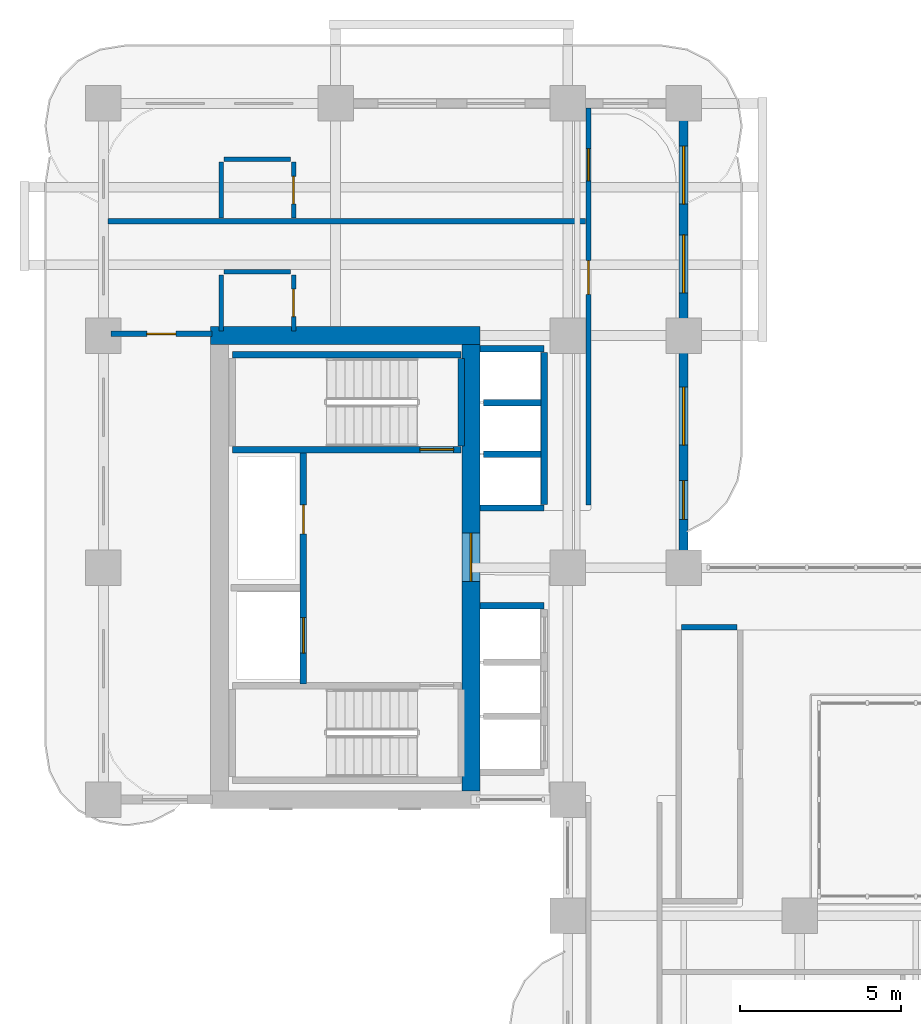
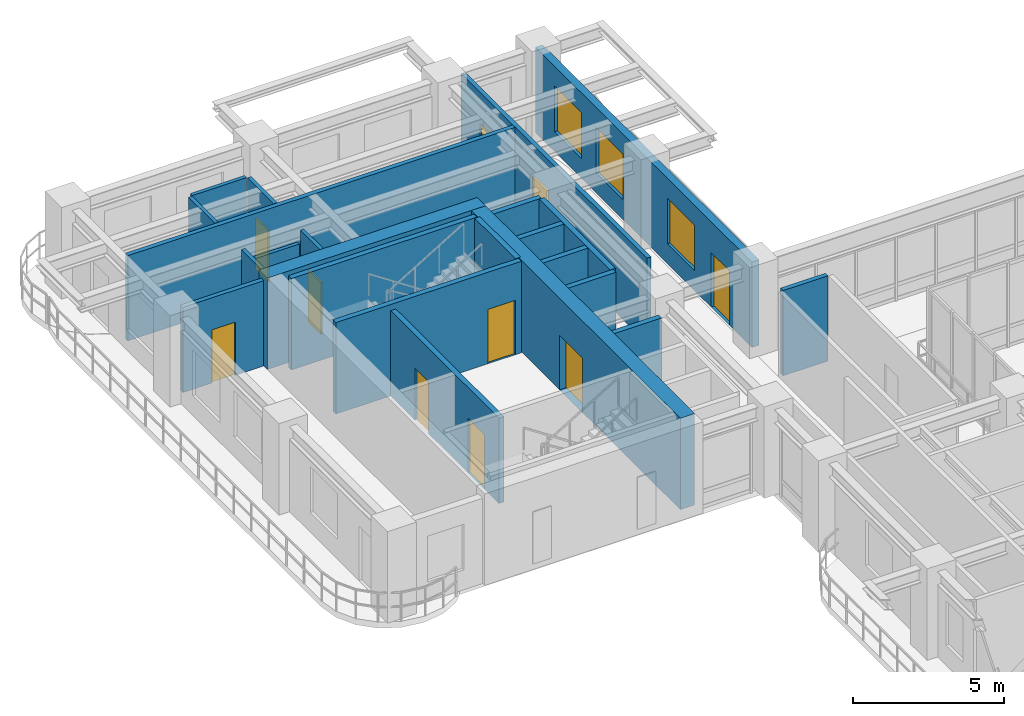
# One storey, part 16 of 22: 23 walls, 10 doors, 3 windows, 13 openings.
"""IFC4 building model written with IfcOpenShell, lengths in metres."""

from ifc_helpers import new_model, si_unit, derived_unit, direction, frame, frame_2d, origin, place, context, subcontext, project, spatial, rectangle, extrude, source, transform, mapped, material, layer, layer_set, type_object, type_shapes, element, fill, save


model = new_model("IFC4")

# Units and contexts
model_context = context("Model", 3, precision=1e-05, world=origin(), true_north=direction((0.0, 1.0)))
body_context = subcontext(model_context, "Body", "Model", "MODEL_VIEW")
ifc_project = project(units=[si_unit("LENGTHUNIT", "METRE"), si_unit("AREAUNIT", "SQUARE_METRE"), si_unit("VOLUMEUNIT", "CUBIC_METRE"), si_unit("PLANEANGLEUNIT", "RADIAN"), si_unit("MASSUNIT", "GRAM", prefix="KILO"), si_unit("THERMODYNAMICTEMPERATUREUNIT", "KELVIN"), si_unit("POWERUNIT", "WATT"), derived_unit("THERMALTRANSMITTANCEUNIT", [(si_unit("POWERUNIT", "WATT"), 1), (si_unit("AREAUNIT", "SQUARE_METRE"), -1), (si_unit("THERMODYNAMICTEMPERATUREUNIT", "KELVIN"), -1)])], contexts=[model_context])

# Site, building, storey
site_placement = place(None, origin())
site = spatial("IfcSite", under=ifc_project, at=site_placement, CompositionType="ELEMENT")
building_placement = place(site_placement, origin())
building = spatial("IfcBuilding", under=site, at=building_placement, Name="Zahravan Archway Hotel and Residences", CompositionType="ELEMENT")
storey_placement = place(building_placement, frame((0.0, 0.0, 87.89990234375)))
storey = spatial("IfcBuildingStorey", under=building, at=storey_placement, Name="L21", CompositionType="ELEMENT", Elevation=87.89990234375)

# Wall
ifc_material_1 = material(Name="Concrete C70/85", Category="concrete")
ifc_layer_1 = layer(ifc_material_1, 0.550048828125, Name="Concrete C70/85", Category="concrete")
ifc_layer_set_1 = layer_set([ifc_layer_1], Name="Concrete C70/85")
wall_type_1 = type_object("IfcWallType", Name="CW-CORE-550", PredefinedType="SHEAR", material=ifc_layer_set_1)
wall_1_placement = place(storey_placement, frame((3.324951171875, 39.60009765625, 0.0), z_axis=(0.0, 0.0, 1.0), x_axis=(1.0, 0.0, 0.0)))
element("IfcWall", 1, at=wall_1_placement, inside=storey, type_object=wall_type_1, Name="L21 Core B Shear N Wall 550 mm", PredefinedType="SHEAR", context=body_context, shape_type="SweptSolid", body=[
    extrude(rectangle(XDim=8.35009765625, YDim=0.550048828125, at=frame_2d((4.175048828125, 0.0))), origin(), (0.0, 0.0, 1.0), 3.7001953125),
])

# Wall, opening, door
wall_2_placement = place(storey_placement, frame((11.39990234375, 25.47509765625, 0.0), z_axis=(0.0, 0.0, 1.0), x_axis=(0.0, 1.0, 0.0)))
wall_2 = element("IfcWall", 2, at=wall_2_placement, inside=storey, type_object=wall_type_1, Name="L21 Core B Shear E Wall 550 mm", PredefinedType="SHEAR", context=body_context, shape_type="SweptSolid", body=[
    extrude(rectangle(XDim=13.849853515625, YDim=0.550048828125, at=frame_2d((6.9248046875, 0.0))), origin(), (0.0, 0.0, 1.0), 3.7001953125),
])
opening_1_placement = place(wall_2_placement, frame((6.4951171875, 0.0, 0.0)))
opening_1 = element("IfcOpeningElement", 3, at=opening_1_placement, cuts=wall_2, Name="Opening FD-L1", PredefinedType="OPENING", context=body_context, shape_type="SweptSolid", body=[
    extrude(rectangle(XDim=1.5, YDim=2.199951171875, at=frame_2d((0.75, 1.10009765625))), frame((0.0, 0.28515625, 0.0), z_axis=(0.0, -1.0, 0.0), x_axis=(1.0, 0.0, 0.0)), (0.0, 0.0, 1.0), 0.570068359375),
])
ifc_material_2 = material(Name="Fire-Rated Painted Steel", Category="steel")
door_type_1 = type_object("IfcDoorType", Name="FD-LOBBY-1500", OperationType="DOUBLE_DOOR_SINGLE_SWING", PredefinedType="DOOR", material=ifc_material_2)
shared_shape_1 = source(origin(), body_context, "Body", "SweptSolid", [
    extrude(rectangle(XDim=1.5, YDim=2.199951171875, at=frame_2d((0.75, 1.10009765625))), frame((0.0, 0.02490234375, 0.0), z_axis=(0.0, -1.0, 0.0), x_axis=(1.0, 0.0, 0.0)), (0.0, 0.0, 1.0), 0.050048828125),
])
type_shapes(door_type_1, [shared_shape_1])
door_1_placement = place(opening_1_placement, origin())
door_1 = element("IfcDoor", 4, at=door_1_placement, inside=storey, type_object=door_type_1, Name="L21 Core B FSAE Lobby Door", OperationType="DOUBLE_DOOR_SINGLE_SWING", OverallHeight=2.199951171875, OverallWidth=1.5, PredefinedType="DOOR", context=body_context, shape_type="MappedRepresentation", body=[
    mapped(shared_shape_1, transform((0.0, 0.0, 0.0), scale=1.0)),
])
fill(opening_1, door_1)

# Wall, openings, door, windows
ifc_material_3 = material(Name="Honed Red-Ochre Sandstone & Insulated Block", Category="masonry")
ifc_layer_2 = layer(ifc_material_3, 0.280029296875, Name="Honed Red-Ochre Sandstone & Insulated Block", Category="masonry")
ifc_layer_set_2 = layer_set([ifc_layer_2], Name="Honed Red-Ochre Sandstone & Insulated Block")
wall_type_2 = type_object("IfcWallType", Name="EW-LOG-280", PredefinedType="SOLIDWALL", material=ifc_layer_set_2)
wall_3_placement = place(storey_placement, frame((18.0, 32.39990234375, 0.0), z_axis=(0.0, 0.0, 1.0), x_axis=(0.0, 1.0, 0.0)))
wall_3 = element("IfcWall", 5, at=wall_3_placement, inside=storey, type_object=wall_type_2, Name="L21 Exterior Sandstone Wall WB-EU", PredefinedType="SOLIDWALL", context=body_context, shape_type="SweptSolid", body=[
    extrude(rectangle(XDim=14.35009765625, YDim=0.280029296875, at=frame_2d((7.175048828125, 0.0))), origin(), (0.0, 0.0, 1.0), 3.4501953125),
])
opening_2_placement = place(wall_3_placement, frame((1.5, 0.0, 0.0)))
opening_2 = element("IfcOpeningElement", 6, at=opening_2_placement, cuts=wall_3, Name="Opening ED-BL1", PredefinedType="OPENING", context=body_context, shape_type="SweptSolid", body=[
    extrude(rectangle(XDim=1.199951171875, YDim=2.199951171875, at=frame_2d((0.60009765625, 1.10009765625))), frame((0.0, 0.14990234375, 0.0), z_axis=(0.0, -1.0, 0.0), x_axis=(1.0, 0.0, 0.0)), (0.0, 0.0, 1.0), 0.300048828125),
])
opening_3_placement = place(wall_3_placement, frame((3.800048828125, 0.0, 0.800048828125)))
opening_3 = element("IfcOpeningElement", 7, at=opening_3_placement, cuts=wall_3, Name="Opening W-02", PredefinedType="OPENING", context=body_context, shape_type="SweptSolid", body=[
    extrude(rectangle(XDim=1.800048828125, YDim=1.85009765625, at=frame_2d((0.89990234375, 0.925048828125))), frame((0.0, 0.14990234375, 0.0), z_axis=(0.0, -1.0, 0.0), x_axis=(1.0, 0.0, 0.0)), (0.0, 0.0, 1.0), 0.300048828125),
])
opening_4_placement = place(wall_3_placement, frame((8.52490234375, 0.0, 0.800048828125)))
opening_4 = element("IfcOpeningElement", 8, at=opening_4_placement, cuts=wall_3, Name="Opening W-02", PredefinedType="OPENING", context=body_context, shape_type="SweptSolid", body=[
    extrude(rectangle(XDim=1.800048828125, YDim=1.85009765625, at=frame_2d((0.89990234375, 0.925048828125))), frame((0.0, 0.14990234375, 0.0), z_axis=(0.0, -1.0, 0.0), x_axis=(1.0, 0.0, 0.0)), (0.0, 0.0, 1.0), 0.300048828125),
])
opening_5_placement = place(wall_3_placement, frame((11.27490234375, 0.0, 0.800048828125)))
opening_5 = element("IfcOpeningElement", 9, at=opening_5_placement, cuts=wall_3, Name="Opening W-02", PredefinedType="OPENING", context=body_context, shape_type="SweptSolid", body=[
    extrude(rectangle(XDim=1.800048828125, YDim=1.85009765625, at=frame_2d((0.89990234375, 0.925048828125))), frame((0.0, 0.14990234375, 0.0), z_axis=(0.0, -1.0, 0.0), x_axis=(1.0, 0.0, 0.0)), (0.0, 0.0, 1.0), 0.300048828125),
])
ifc_material_4 = material(Name="Bronze-Anodized Glazed Aluminium", Category="aluminium")
door_type_2 = type_object("IfcDoorType", Name="ED-BALC-1200", OperationType="SLIDING_TO_LEFT", PredefinedType="DOOR", material=ifc_material_4)
shared_shape_2 = source(origin(), body_context, "Body", "SweptSolid", [
    extrude(rectangle(XDim=1.199951171875, YDim=2.199951171875, at=frame_2d((0.60009765625, 1.10009765625))), frame((0.0, 0.02490234375, 0.0), z_axis=(0.0, -1.0, 0.0), x_axis=(1.0, 0.0, 0.0)), (0.0, 0.0, 1.0), 0.050048828125),
])
type_shapes(door_type_2, [shared_shape_2])
door_2_placement = place(opening_2_placement, origin())
door_2 = element("IfcDoor", 10, at=door_2_placement, inside=storey, type_object=door_type_2, Name="L21 Outdoor Access Sliding Door (SLB-BAL-L21-EB)", OperationType="SLIDING_TO_LEFT", OverallHeight=2.199951171875, OverallWidth=1.199951171875, PredefinedType="DOOR", context=body_context, shape_type="MappedRepresentation", body=[
    mapped(shared_shape_2, transform((0.0, 0.0, 0.0), scale=1.0)),
])
fill(opening_2, door_2)
ifc_material_5 = material(Name="Bronze-Anodized Thermal-Break Aluminium & Low-E Glass", Category="aluminium")
window_type = type_object("IfcWindowType", Name="WIN-TWR-1800", PartitioningType="DOUBLE_PANEL_VERTICAL", PredefinedType="WINDOW", material=ifc_material_5)
shared_shape_3 = source(origin(), body_context, "Body", "SweptSolid", [
    extrude(rectangle(XDim=1.800048828125, YDim=1.85009765625, at=frame_2d((0.89990234375, 0.925048828125))), frame((0.0, 0.030029296875, 0.0), z_axis=(0.0, -1.0, 0.0), x_axis=(1.0, 0.0, 0.0)), (0.0, 0.0, 1.0), 0.06005859375),
])
type_shapes(window_type, [shared_shape_3])
window_1_placement = place(opening_3_placement, origin())
window_1 = element("IfcWindow", 11, at=window_1_placement, inside=storey, type_object=window_type, Name="L21 Loggia Window 38", OverallHeight=1.85009765625, OverallWidth=1.800048828125, PartitioningType="DOUBLE_PANEL_VERTICAL", PredefinedType="WINDOW", context=body_context, shape_type="MappedRepresentation", body=[
    mapped(shared_shape_3, transform((0.0, 0.0, 0.0), scale=1.0)),
])
fill(opening_3, window_1)
window_2_placement = place(opening_4_placement, origin())
window_2 = element("IfcWindow", 12, at=window_2_placement, inside=storey, type_object=window_type, Name="L21 Loggia Window 39", OverallHeight=1.85009765625, OverallWidth=1.800048828125, PartitioningType="DOUBLE_PANEL_VERTICAL", PredefinedType="WINDOW", context=body_context, shape_type="MappedRepresentation", body=[
    mapped(shared_shape_3, transform((0.0, 0.0, 0.0), scale=1.0)),
])
fill(opening_4, window_2)
window_3_placement = place(opening_5_placement, origin())
window_3 = element("IfcWindow", 13, at=window_3_placement, inside=storey, type_object=window_type, Name="L21 Loggia Window 40", OverallHeight=1.85009765625, OverallWidth=1.800048828125, PartitioningType="DOUBLE_PANEL_VERTICAL", PredefinedType="WINDOW", context=body_context, shape_type="MappedRepresentation", body=[
    mapped(shared_shape_3, transform((0.0, 0.0, 0.0), scale=1.0)),
])
fill(opening_5, window_3)

# Wall, openings, doors
ifc_material_6 = material(Name="Fire-Rated Gypsum & Concrete Block", Category="concrete")
ifc_layer_3 = layer(ifc_material_6, 0.159912109375, Name="Fire-Rated Gypsum & Concrete Block", Category="concrete")
ifc_layer_set_3 = layer_set([ifc_layer_3], Name="Fire-Rated Gypsum & Concrete Block")
wall_type_3 = type_object("IfcWallType", Name="PW-CORR-160", PredefinedType="PARTITIONING", material=ifc_layer_set_3)
wall_4_placement = place(storey_placement, frame((15.050048828125, 34.340087890625, 0.0), z_axis=(0.0, 0.0, 1.0), x_axis=(0.0, 1.0, 0.0)))
wall_4 = element("IfcWall", 14, at=wall_4_placement, inside=storey, type_object=wall_type_3, Name="L21 Partition WBN-C", PredefinedType="PARTITIONING", context=body_context, shape_type="SweptSolid", body=[
    extrude(rectangle(XDim=12.31201171875, YDim=0.159912109375, at=frame_2d((6.156005859375, 0.0))), origin(), (0.0, 0.0, 1.0), 3.4501953125),
])
opening_6_placement = place(wall_4_placement, frame((6.534912109375, 0.0, 0.0)))
opening_6 = element("IfcOpeningElement", 15, at=opening_6_placement, cuts=wall_4, Name="Opening D-U1", PredefinedType="OPENING", context=body_context, shape_type="SweptSolid", body=[
    extrude(rectangle(XDim=1.050048828125, YDim=2.25, at=frame_2d((0.52490234375, 1.125))), frame((0.0, 0.08984375, 0.0), z_axis=(0.0, -1.0, 0.0), x_axis=(1.0, 0.0, 0.0)), (0.0, 0.0, 1.0), 0.179931640625),
])
opening_7_placement = place(wall_4_placement, frame((10.06005859375, 0.0, 0.0)))
opening_7 = element("IfcOpeningElement", 16, at=opening_7_placement, cuts=wall_4, Name="Opening D-U2", PredefinedType="OPENING", context=body_context, shape_type="SweptSolid", body=[
    extrude(rectangle(XDim=1.0, YDim=2.199951171875, at=frame_2d((0.5, 1.10009765625))), frame((0.0, 0.08984375, 0.0), z_axis=(0.0, -1.0, 0.0), x_axis=(1.0, 0.0, 0.0)), (0.0, 0.0, 1.0), 0.179931640625),
])
ifc_material_7 = material(Name="Hardwood Veneer Timber", Category="wood")
door_type_3 = type_object("IfcDoorType", Name="ID-UNIT-1050", OperationType="NOTDEFINED", PredefinedType="DOOR", material=ifc_material_7)
shared_shape_4 = source(origin(), body_context, "Body", "SweptSolid", [
    extrude(rectangle(XDim=1.050048828125, YDim=2.25, at=frame_2d((0.52490234375, 1.125))), frame((0.0, 0.02490234375, 0.0), z_axis=(0.0, -1.0, 0.0), x_axis=(1.0, 0.0, 0.0)), (0.0, 0.0, 1.0), 0.050048828125),
])
type_shapes(door_type_3, [shared_shape_4])
door_3_placement = place(opening_6_placement, origin())
door_3 = element("IfcDoor", 17, at=door_3_placement, inside=storey, type_object=door_type_3, Name="L21 Hotel Guestroom 76 Entrance Door", OperationType="SINGLE_SWING_RIGHT", OverallHeight=2.25, OverallWidth=1.050048828125, PredefinedType="DOOR", context=body_context, shape_type="MappedRepresentation", body=[
    mapped(shared_shape_4, transform((0.0, 0.0, 0.0), scale=1.0)),
])
fill(opening_6, door_3)
door_type_4 = type_object("IfcDoorType", Name="ID-UNIT-1000", OperationType="NOTDEFINED", PredefinedType="DOOR", material=ifc_material_7)
shared_shape_5 = source(origin(), body_context, "Body", "SweptSolid", [
    extrude(rectangle(XDim=1.0, YDim=2.199951171875, at=frame_2d((0.5, 1.10009765625))), frame((0.0, 0.02490234375, 0.0), z_axis=(0.0, -1.0, 0.0), x_axis=(1.0, 0.0, 0.0)), (0.0, 0.0, 1.0), 0.050048828125),
])
type_shapes(door_type_4, [shared_shape_5])
door_4_placement = place(opening_7_placement, origin())
door_4 = element("IfcDoor", 18, at=door_4_placement, inside=storey, type_object=door_type_4, Name="L21 Hotel Guestroom 77 Entrance Door", OperationType="SINGLE_SWING_LEFT", OverallHeight=2.199951171875, OverallWidth=1.0, PredefinedType="DOOR", context=body_context, shape_type="MappedRepresentation", body=[
    mapped(shared_shape_5, transform((0.0, 0.0, 0.0), scale=1.0)),
])
fill(opening_7, door_4)

ifc_layer_4 = layer(ifc_material_6, 0.199951171875, Name="Fire-Rated Gypsum & Concrete Block", Category="concrete")
ifc_layer_set_4 = layer_set([ifc_layer_4], Name="Fire-Rated Gypsum & Concrete Block")
wall_type_4 = type_object("IfcWallType", Name="PW-SHAFT-200", PredefinedType="PARTITIONING", material=ifc_layer_set_4)
wall_5_placement = place(storey_placement, frame((6.199951171875, 28.7900390625, 0.0), z_axis=(0.0, 0.0, 1.0), x_axis=(0.0, 1.0, 0.0)))
wall_5 = element("IfcWall", 19, at=wall_5_placement, inside=storey, type_object=wall_type_4, Name="L21 Partition CB-FL3E", PredefinedType="PARTITIONING", context=body_context, shape_type="SweptSolid", body=[
    extrude(rectangle(XDim=7.219970703125, YDim=0.199951171875, at=frame_2d((3.60986328125, 0.0))), origin(), (0.0, 0.0, 1.0), 3.4501953125),
])
opening_8_placement = place(wall_5_placement, frame((4.659912109375, 0.0, 0.0)))
opening_8 = element("IfcOpeningElement", 20, at=opening_8_placement, cuts=wall_5, Name="Opening FD-R1", PredefinedType="OPENING", context=body_context, shape_type="SweptSolid", body=[
    extrude(rectangle(XDim=0.89990234375, YDim=2.10009765625, at=frame_2d((0.449951171875, 1.050048828125))), frame((0.0, 0.10986328125, 0.0), z_axis=(0.0, -1.0, 0.0), x_axis=(1.0, 0.0, 0.0)), (0.0, 0.0, 1.0), 0.219970703125),
])
opening_9_placement = place(wall_5_placement, frame((0.9599609375, 0.0, 0.0)))
opening_9 = element("IfcOpeningElement", 21, at=opening_9_placement, cuts=wall_5, Name="Opening LD", PredefinedType="OPENING", context=body_context, shape_type="SweptSolid", body=[
    extrude(rectangle(XDim=1.10009765625, YDim=2.199951171875, at=frame_2d((0.550048828125, 1.10009765625))), frame((0.0, 0.10986328125, 0.0), z_axis=(0.0, -1.0, 0.0), x_axis=(1.0, 0.0, 0.0)), (0.0, 0.0, 1.0), 0.219970703125),
])
door_type_5 = type_object("IfcDoorType", Name="FD-RISER-900", OperationType="NOTDEFINED", PredefinedType="DOOR", material=ifc_material_2)
shared_shape_6 = source(origin(), body_context, "Body", "SweptSolid", [
    extrude(rectangle(XDim=0.89990234375, YDim=2.10009765625, at=frame_2d((0.449951171875, 1.050048828125))), frame((0.0, 0.02490234375, 0.0), z_axis=(0.0, -1.0, 0.0), x_axis=(1.0, 0.0, 0.0)), (0.0, 0.0, 1.0), 0.050048828125),
])
type_shapes(door_type_5, [shared_shape_6])
door_5_placement = place(opening_8_placement, origin())
door_5 = element("IfcDoor", 22, at=door_5_placement, inside=storey, type_object=door_type_5, Name="L21 Core B Riser Door", OperationType="SINGLE_SWING_RIGHT", OverallHeight=2.10009765625, OverallWidth=0.89990234375, PredefinedType="DOOR", context=body_context, shape_type="MappedRepresentation", body=[
    mapped(shared_shape_6, transform((0.0, 0.0, 0.0), scale=1.0)),
])
fill(opening_8, door_5)
ifc_material_8 = material(Name="Brushed Stainless Steel", Category="steel")
door_type_6 = type_object("IfcDoorType", Name="DR-LIFT-LD", OperationType="SLIDING_TO_LEFT", PredefinedType="DOOR", material=ifc_material_8)
shared_shape_7 = source(origin(), body_context, "Body", "SweptSolid", [
    extrude(rectangle(XDim=1.10009765625, YDim=2.199951171875, at=frame_2d((0.550048828125, 1.10009765625))), frame((0.0, 0.02490234375, 0.0), z_axis=(0.0, -1.0, 0.0), x_axis=(1.0, 0.0, 0.0)), (0.0, 0.0, 1.0), 0.050048828125),
])
type_shapes(door_type_6, [shared_shape_7])
door_6_placement = place(opening_9_placement, origin())
door_6 = element("IfcDoor", 23, at=door_6_placement, inside=storey, type_object=door_type_6, Name="L21 Lift FL-3 Sliding Landing Door", OperationType="SLIDING_TO_LEFT", OverallHeight=2.199951171875, OverallWidth=1.10009765625, PredefinedType="DOOR", context=body_context, shape_type="MappedRepresentation", body=[
    mapped(shared_shape_7, transform((0.0, 0.0, 0.0), scale=1.0)),
])
fill(opening_9, door_6)

# Walls
for number, where, z_axis, x_axis, name in (
    (24, (11.68505859375, 31.2099609375, 0.0), (0.0, 0.0, 1.0), (1.0, 0.0, 0.0), "L21 Partition B1-N"),
    (25, (11.68505859375, 34.25, 0.0), (0.0, 0.0, 1.0), (1.0, 0.0, 0.0), "L21 Partition B2-S"),
    (26, (11.68505859375, 39.18994140625, 0.0), (0.0, 0.0, 1.0), (1.0, 0.0, 0.0), "L21 Partition B2-N"),
):
    element("IfcWall", number, at=place(storey_placement, frame(where, z_axis=z_axis, x_axis=x_axis)), inside=storey, type_object=wall_type_4, Name=name, PredefinedType="PARTITIONING", context=body_context, shape_type="SweptSolid", body=[
        extrude(rectangle(XDim=1.98486328125, YDim=0.199951171875, at=frame_2d((0.992431640625, 0.0))), origin(), (0.0, 0.0, 1.0), 3.4501953125),
    ])
wall_6_placement = place(storey_placement, frame((13.679931640625, 34.360107421875, 0.0), z_axis=(0.0, 0.0, 1.0), x_axis=(0.0, 1.0, 0.0)))
element("IfcWall", 27, at=wall_6_placement, inside=storey, type_object=wall_type_4, Name="L21 Partition B2-E", PredefinedType="PARTITIONING", context=body_context, shape_type="SweptSolid", body=[
    extrude(rectangle(XDim=4.719970703125, YDim=0.199951171875, at=frame_2d((2.35986328125, 0.0))), origin(), (0.0, 0.0, 1.0), 3.4501953125),
])
for number, where, z_axis, x_axis, name in (
    (28, (11.784912109375, 35.919921875, 0.0), (0.0, 0.0, 1.0), (1.0, 0.0, 0.0), "L21 Partition B2-D"),
    (29, (11.784912109375, 37.52001953125, 0.0), (0.0, 0.0, 1.0), (1.0, 0.0, 0.0), "L21 Partition B2-D"),
):
    element("IfcWall", number, at=place(storey_placement, frame(where, z_axis=z_axis, x_axis=x_axis)), inside=storey, type_object=wall_type_4, Name=name, PredefinedType="PARTITIONING", context=body_context, shape_type="SweptSolid", body=[
        extrude(rectangle(XDim=1.78515625, YDim=0.199951171875, at=frame_2d((0.892578125, 0.0))), origin(), (0.0, 0.0, 1.0), 3.4501953125),
    ])

# Wall, opening, door
ifc_material_9 = material(Name="Acoustic Stud Partition")
ifc_layer_5 = layer(ifc_material_9, 0.169921875, Name="Acoustic Stud Partition")
ifc_layer_set_5 = layer_set([ifc_layer_5], Name="Acoustic Stud Partition")
wall_type_5 = type_object("IfcWallType", Name="PW-UNIT-170", PredefinedType="PARTITIONING", material=ifc_layer_set_5)
wall_7_placement = place(storey_placement, frame((0.239990234375, 39.64990234375, 0.0), z_axis=(0.0, 0.0, 1.0), x_axis=(1.0, 0.0, 0.0)))
wall_7 = element("IfcWall", 30, at=wall_7_placement, inside=storey, type_object=wall_type_5, Name="L21 Partition WBW-N", PredefinedType="PARTITIONING", context=body_context, shape_type="SweptSolid", body=[
    extrude(rectangle(XDim=3.1201171875, YDim=0.169921875, at=frame_2d((1.56005859375, 0.0))), origin(), (0.0, 0.0, 1.0), 3.4501953125),
])
opening_10_placement = place(wall_7_placement, frame((1.110107421875, 0.0, 0.0)))
opening_10 = element("IfcOpeningElement", 31, at=opening_10_placement, cuts=wall_7, Name="Opening D-I2", PredefinedType="OPENING", context=body_context, shape_type="SweptSolid", body=[
    extrude(rectangle(XDim=0.89990234375, YDim=2.14990234375, at=frame_2d((0.449951171875, 1.074951171875))), frame((0.0, 0.094970703125, 0.0), z_axis=(0.0, -1.0, 0.0), x_axis=(1.0, 0.0, 0.0)), (0.0, 0.0, 1.0), 0.18994140625),
])
door_type_7 = type_object("IfcDoorType", Name="ID-INT-900", OperationType="NOTDEFINED", PredefinedType="DOOR", material=ifc_material_7)
shared_shape_8 = source(origin(), body_context, "Body", "SweptSolid", [
    extrude(rectangle(XDim=0.89990234375, YDim=2.14990234375, at=frame_2d((0.449951171875, 1.074951171875))), frame((0.0, 0.02490234375, 0.0), z_axis=(0.0, -1.0, 0.0), x_axis=(1.0, 0.0, 0.0)), (0.0, 0.0, 1.0), 0.050048828125),
])
type_shapes(door_type_7, [shared_shape_8])
door_7_placement = place(opening_10_placement, origin())
door_7 = element("IfcDoor", 32, at=door_7_placement, inside=storey, type_object=door_type_7, Name="L21 West Loggia Salon Door", OperationType="SINGLE_SWING_RIGHT", OverallHeight=2.14990234375, OverallWidth=0.89990234375, PredefinedType="DOOR", context=body_context, shape_type="MappedRepresentation", body=[
    mapped(shared_shape_8, transform((0.0, 0.0, 0.0), scale=1.0)),
])
fill(opening_10, door_7)

# Walls
wall_8_placement = place(storey_placement, frame((0.14794921875, 43.14990234375, 0.0), z_axis=(0.0, 0.0, 1.0), x_axis=(1.0, 0.0, 0.0)))
element("IfcWall", 33, at=wall_8_placement, inside=storey, type_object=wall_type_5, Name="L21 Partition WBN-M0", PredefinedType="PARTITIONING", context=body_context, shape_type="SweptSolid", body=[
    extrude(rectangle(XDim=14.81201171875, YDim=0.169921875, at=frame_2d((7.406005859375, 0.0))), origin(), (0.0, 0.0, 1.0), 3.4501953125),
])
wall_9_placement = place(storey_placement, frame((17.93994140625, 30.550048828125, 0.0), z_axis=(0.0, 0.0, 1.0), x_axis=(1.0, 0.0, 0.0)))
element("IfcWall", 34, at=wall_9_placement, inside=storey, type_object=wall_type_5, Name="L21 Partition ATR-WLN", PredefinedType="PARTITIONING", context=body_context, shape_type="SweptSolid", body=[
    extrude(rectangle(XDim=1.719970703125, YDim=0.169921875, at=frame_2d((0.85986328125, 0.0))), origin(), (0.0, 0.0, 1.0), 3.4501953125),
])
ifc_material_10 = material(Name="Moisture-Resistant Blockwork", Category="masonry")
ifc_layer_6 = layer(ifc_material_10, 0.139892578125, Name="Moisture-Resistant Blockwork", Category="masonry")
ifc_layer_set_6 = layer_set([ifc_layer_6], Name="Moisture-Resistant Blockwork")
wall_type_6 = type_object("IfcWallType", Name="PW-WET-140", PredefinedType="PARTITIONING", material=ifc_layer_set_6)
wall_10_placement = place(storey_placement, frame((3.64990234375, 39.739990234375, 0.0), z_axis=(0.0, 0.0, 1.0), x_axis=(0.0, 1.0, 0.0)))
element("IfcWall", 35, at=wall_10_placement, inside=storey, type_object=wall_type_6, Name="L21 Partition HKB-VL76", PredefinedType="PARTITIONING", context=body_context, shape_type="SweptSolid", body=[
    extrude(rectangle(XDim=1.7451171875, YDim=0.139892578125, at=frame_2d((0.87255859375, 0.0))), origin(), (0.0, 0.0, 1.0), 3.4501953125),
])
wall_11_placement = place(storey_placement, frame((3.739990234375, 41.574951171875, 0.0), z_axis=(0.0, 0.0, 1.0), x_axis=(1.0, 0.0, 0.0)))
element("IfcWall", 36, at=wall_11_placement, inside=storey, type_object=wall_type_6, Name="L21 Partition HKB-H76", PredefinedType="PARTITIONING", context=body_context, shape_type="SweptSolid", body=[
    extrude(rectangle(XDim=2.070068359375, YDim=0.139892578125, at=frame_2d((1.03515625, 0.0))), origin(), (0.0, 0.0, 1.0), 2.885009765625),
])

# Wall, opening, door
wall_12_placement = place(storey_placement, frame((5.89990234375, 39.739990234375, 0.0), z_axis=(0.0, 0.0, 1.0), x_axis=(0.0, 1.0, 0.0)))
wall_12 = element("IfcWall", 37, at=wall_12_placement, inside=storey, type_object=wall_type_6, Name="L21 Partition HKB-V76", PredefinedType="PARTITIONING", context=body_context, shape_type="SweptSolid", body=[
    extrude(rectangle(XDim=1.7451171875, YDim=0.139892578125, at=frame_2d((0.87255859375, 0.0))), origin(), (0.0, 0.0, 1.0), 3.4501953125),
])
opening_11_placement = place(wall_12_placement, frame((0.447509765625, 0.0, 0.0)))
opening_11 = element("IfcOpeningElement", 38, at=opening_11_placement, cuts=wall_12, Name="Opening D-B1", PredefinedType="OPENING", context=body_context, shape_type="SweptSolid", body=[
    extrude(rectangle(XDim=0.85009765625, YDim=2.10009765625, at=frame_2d((0.425048828125, 1.050048828125))), frame((0.0, 0.080078125, 0.0), z_axis=(0.0, -1.0, 0.0), x_axis=(1.0, 0.0, 0.0)), (0.0, 0.0, 1.0), 0.159912109375),
])
door_type_8 = type_object("IfcDoorType", Name="ID-BATH-850", OperationType="NOTDEFINED", PredefinedType="DOOR", material=ifc_material_7)
shared_shape_9 = source(origin(), body_context, "Body", "SweptSolid", [
    extrude(rectangle(XDim=0.85009765625, YDim=2.10009765625, at=frame_2d((0.425048828125, 1.050048828125))), frame((0.0, 0.02490234375, 0.0), z_axis=(0.0, -1.0, 0.0), x_axis=(1.0, 0.0, 0.0)), (0.0, 0.0, 1.0), 0.050048828125),
])
type_shapes(door_type_8, [shared_shape_9])
door_8_placement = place(opening_11_placement, origin())
door_8 = element("IfcDoor", 39, at=door_8_placement, inside=storey, type_object=door_type_8, Name="L21 Guestroom 76 En-Suite Door", OperationType="SINGLE_SWING_RIGHT", OverallHeight=2.10009765625, OverallWidth=0.85009765625, PredefinedType="DOOR", context=body_context, shape_type="MappedRepresentation", body=[
    mapped(shared_shape_9, transform((0.0, 0.0, 0.0), scale=1.0)),
])
fill(opening_11, door_8)

# Walls
wall_13_placement = place(storey_placement, frame((3.64990234375, 43.239990234375, 0.0), z_axis=(0.0, 0.0, 1.0), x_axis=(0.0, 1.0, 0.0)))
element("IfcWall", 40, at=wall_13_placement, inside=storey, type_object=wall_type_6, Name="L21 Partition HKB-VL77", PredefinedType="PARTITIONING", context=body_context, shape_type="SweptSolid", body=[
    extrude(rectangle(XDim=1.7451171875, YDim=0.139892578125, at=frame_2d((0.87255859375, 0.0))), origin(), (0.0, 0.0, 1.0), 3.4501953125),
])
wall_14_placement = place(storey_placement, frame((3.739990234375, 45.074951171875, 0.0), z_axis=(0.0, 0.0, 1.0), x_axis=(1.0, 0.0, 0.0)))
element("IfcWall", 41, at=wall_14_placement, inside=storey, type_object=wall_type_6, Name="L21 Partition HKB-H77", PredefinedType="PARTITIONING", context=body_context, shape_type="SweptSolid", body=[
    extrude(rectangle(XDim=2.070068359375, YDim=0.139892578125, at=frame_2d((1.03515625, 0.0))), origin(), (0.0, 0.0, 1.0), 3.4501953125),
])

# Wall, opening, door
wall_15_placement = place(storey_placement, frame((5.89990234375, 43.239990234375, 0.0), z_axis=(0.0, 0.0, 1.0), x_axis=(0.0, 1.0, 0.0)))
wall_15 = element("IfcWall", 42, at=wall_15_placement, inside=storey, type_object=wall_type_6, Name="L21 Partition HKB-V77", PredefinedType="PARTITIONING", context=body_context, shape_type="SweptSolid", body=[
    extrude(rectangle(XDim=1.7451171875, YDim=0.139892578125, at=frame_2d((0.87255859375, 0.0))), origin(), (0.0, 0.0, 1.0), 3.4501953125),
])
opening_12_placement = place(wall_15_placement, frame((0.447509765625, 0.0, 0.0)))
opening_12 = element("IfcOpeningElement", 43, at=opening_12_placement, cuts=wall_15, Name="Opening D-B1", PredefinedType="OPENING", context=body_context, shape_type="SweptSolid", body=[
    extrude(rectangle(XDim=0.85009765625, YDim=2.10009765625, at=frame_2d((0.425048828125, 1.050048828125))), frame((0.0, 0.080078125, 0.0), z_axis=(0.0, -1.0, 0.0), x_axis=(1.0, 0.0, 0.0)), (0.0, 0.0, 1.0), 0.159912109375),
])
door_9_placement = place(opening_12_placement, origin())
door_9 = element("IfcDoor", 44, at=door_9_placement, inside=storey, type_object=door_type_8, Name="L21 Guestroom 77 En-Suite Door", OperationType="SINGLE_SWING_RIGHT", OverallHeight=2.10009765625, OverallWidth=0.85009765625, PredefinedType="DOOR", context=body_context, shape_type="MappedRepresentation", body=[
    mapped(shared_shape_9, transform((0.0, 0.0, 0.0), scale=1.0)),
])
fill(opening_12, door_9)

# Walls
ifc_material_11 = material(Name="Concrete C50/60", Category="concrete")
ifc_layer_7 = layer(ifc_material_11, 0.199951171875, Name="Concrete C50/60", Category="concrete")
ifc_layer_set_7 = layer_set([ifc_layer_7], Name="Concrete C50/60")
wall_type_7 = type_object("IfcWallType", Name="SW-STAIR-200", PredefinedType="SHEAR", material=ifc_layer_set_7)
wall_16_placement = place(storey_placement, frame((4.0, 39.0, 0.0), z_axis=(0.0, 0.0, 1.0), x_axis=(1.0, 0.0, 0.0)))
element("IfcWall", 45, at=wall_16_placement, inside=storey, type_object=wall_type_7, Name="L21 Stairwell RC Wall CB-SB2N", PredefinedType="SHEAR", context=body_context, shape_type="SweptSolid", body=[
    extrude(rectangle(XDim=7.10009765625, YDim=0.199951171875, at=frame_2d((3.550048828125, 0.0))), origin(), (0.0, 0.0, 1.0), 3.7001953125),
])
wall_17_placement = place(storey_placement, frame((11.10009765625, 36.179931640625, 0.0), z_axis=(0.0, 0.0, 1.0), x_axis=(0.0, 1.0, 0.0)))
element("IfcWall", 46, at=wall_17_placement, inside=storey, type_object=wall_type_7, Name="L21 Stairwell RC Wall CB-SB2E", PredefinedType="SHEAR", context=body_context, shape_type="SweptSolid", body=[
    extrude(rectangle(XDim=2.699951171875, YDim=0.199951171875, at=frame_2d((1.35009765625, 0.0))), origin(), (0.0, 0.0, 1.0), 3.7001953125),
])

# Wall, opening, door
wall_18_placement = place(storey_placement, frame((4.0, 36.06005859375, 0.0), z_axis=(0.0, 0.0, 1.0), x_axis=(1.0, 0.0, 0.0)))
wall_18 = element("IfcWall", 47, at=wall_18_placement, inside=storey, type_object=wall_type_7, Name="L21 Stairwell RC Wall CB-SB2S", PredefinedType="SHEAR", context=body_context, shape_type="SweptSolid", body=[
    extrude(rectangle(XDim=7.10009765625, YDim=0.199951171875, at=frame_2d((3.550048828125, 0.0))), origin(), (0.0, 0.0, 1.0), 3.7001953125),
])
opening_13_placement = place(wall_18_placement, frame((5.81494140625, 0.0, 0.0)))
opening_13 = element("IfcOpeningElement", 48, at=opening_13_placement, cuts=wall_18, Name="Opening FD-S1", PredefinedType="OPENING", context=body_context, shape_type="SweptSolid", body=[
    extrude(rectangle(XDim=1.050048828125, YDim=2.199951171875, at=frame_2d((0.52490234375, 1.10009765625))), frame((0.0, 0.10986328125, 0.0), z_axis=(0.0, -1.0, 0.0), x_axis=(1.0, 0.0, 0.0)), (0.0, 0.0, 1.0), 0.219970703125),
])
door_type_9 = type_object("IfcDoorType", Name="FD-STAIR-1100", OperationType="NOTDEFINED", PredefinedType="DOOR", material=ifc_material_2)
shared_shape_10 = source(origin(), body_context, "Body", "SweptSolid", [
    extrude(rectangle(XDim=1.050048828125, YDim=2.199951171875, at=frame_2d((0.52490234375, 1.10009765625))), frame((0.0, 0.02490234375, 0.0), z_axis=(0.0, -1.0, 0.0), x_axis=(1.0, 0.0, 0.0)), (0.0, 0.0, 1.0), 0.050048828125),
])
type_shapes(door_type_9, [shared_shape_10])
door_10_placement = place(opening_13_placement, origin())
door_10 = element("IfcDoor", 49, at=door_10_placement, inside=storey, type_object=door_type_9, Name="L21 Stair ST-B2 Door", OperationType="SINGLE_SWING_LEFT", OverallHeight=2.199951171875, OverallWidth=1.050048828125, PredefinedType="DOOR", context=body_context, shape_type="MappedRepresentation", body=[
    mapped(shared_shape_10, transform((0.0, 0.0, 0.0), scale=1.0)),
])
fill(opening_13, door_10)

save(model, "model.ifc")
